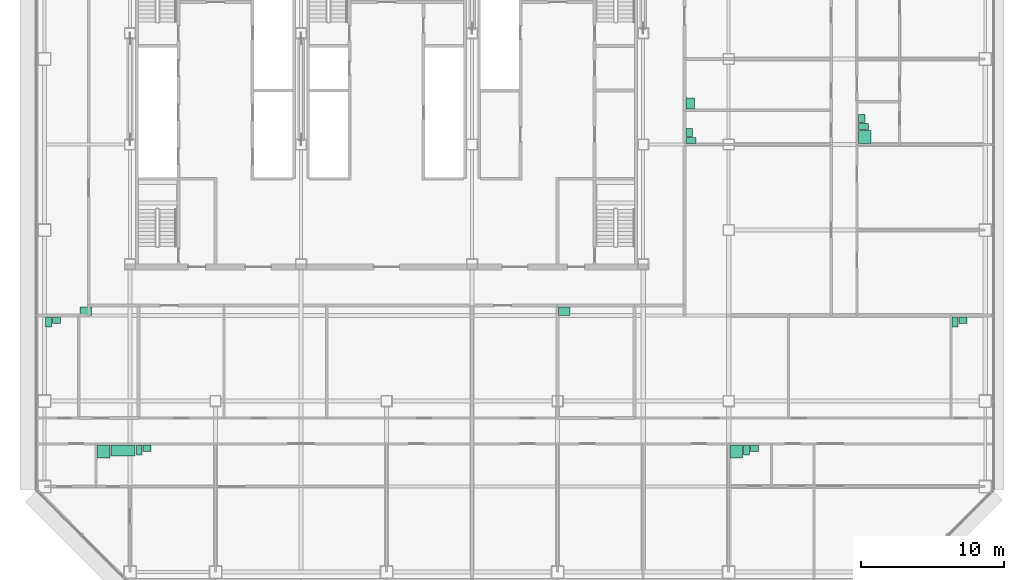
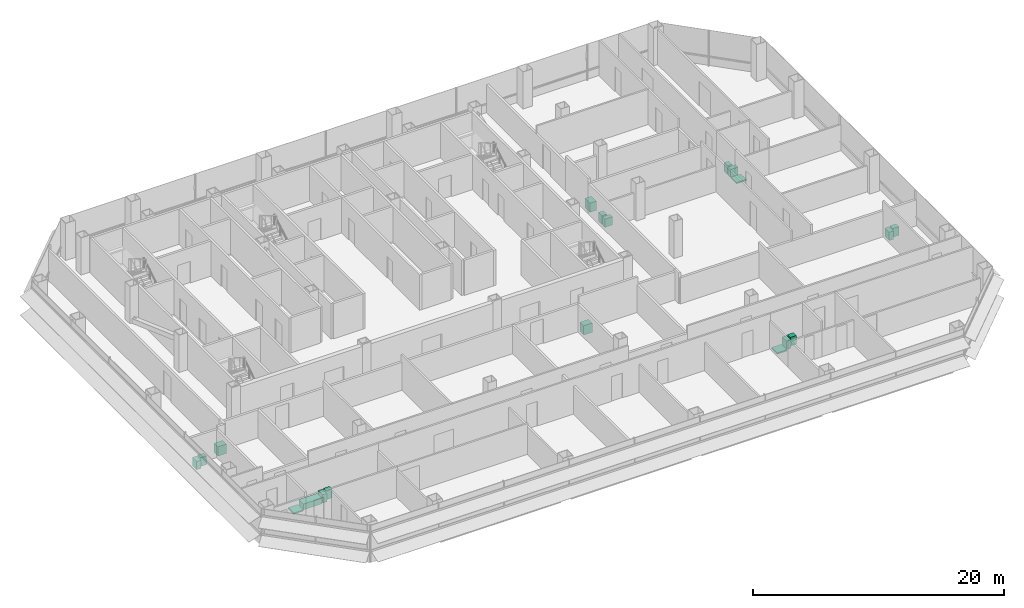
# One storey, part 27 of 27: 19 sanitary terminals.
"""IFC4 building model written with IfcOpenShell, lengths in metres."""

import ifcopenshell
import ifcopenshell.guid

model = None  # the IFC model being written
_history = None  # IfcOwnerHistory: only IFC2X3 demands one
_inside = {}  # id of a spatial element -> (the spatial element, [elements in it])
_under = {}  # id of a project, library or spatial element -> (it, [spatial elements below it])
_declared = {}  # id of a project -> (the project, [libraries it declares])
_typed = {}  # id of a type object -> (the type object, [elements of that type])
_made_of = {}  # id of a material, layer set ... -> (it, [elements and type objects made of it])


def new_model(schema):
    """Start an empty IFC model of exactly this schema.

    Asked for "IFC4X3", IfcOpenShell would pick the latest addendum, in which some entities
    have other attributes; the version numbers below select the first issue.
    IFC2X3 requires an IfcOwnerHistory on every rooted entity: one is made here for all.
    """
    global model, _history
    if schema == "IFC4X3":
        model = ifcopenshell.file(schema_version=(4, 3, 0, 0))
    else:
        model = ifcopenshell.file(schema=schema)
    _inside.clear()
    _under.clear()
    _declared.clear()
    _typed.clear()
    _made_of.clear()
    _history = None
    if model.schema == "IFC2X3":
        org = make("IfcOrganization", Name="unknown")
        user = make(
            "IfcPersonAndOrganization",
            ThePerson=make("IfcPerson", FamilyName="unknown"),
            TheOrganization=org,
        )
        app = make(
            "IfcApplication",
            ApplicationDeveloper=org,
            Version="unknown",
            ApplicationFullName="unknown",
            ApplicationIdentifier="unknown",
        )
        _history = make(
            "IfcOwnerHistory",
            OwningUser=user,
            OwningApplication=app,
            ChangeAction="ADDED",
            CreationDate=0,
        )
    return model


def make(cls, **values):
    """One entity of the class cls with the attributes given. An attribute that is None is left unset."""
    return model.create_entity(
        cls, **{name: value for name, value in values.items() if value is not None}
    )


def rooted(cls, **values):
    """An entity with a GlobalId (a new one), such as an element, a storey or a relation."""
    return make(cls, GlobalId=ifcopenshell.guid.new(), OwnerHistory=_history, **values)


def si_unit(unit_type, name, prefix=None):
    """IfcSIUnit, for example si_unit("LENGTHUNIT", "METRE", prefix="MILLI")."""
    return make("IfcSIUnit", UnitType=unit_type, Prefix=prefix, Name=name)


def assignment(units):
    """IfcUnitAssignment: the units of a project."""
    return None if units is None else make("IfcUnitAssignment", Units=units)


def point(xyz):
    """IfcCartesianPoint."""
    return None if xyz is None else make("IfcCartesianPoint", Coordinates=xyz)


def direction(xyz):
    """IfcDirection."""
    return None if xyz is None else make("IfcDirection", DirectionRatios=xyz)


def frame(location, z_axis=None, x_axis=None):
    """IfcAxis2Placement3D, a coordinate frame: its origin and axes. An axis left out is left unset."""
    return make(
        "IfcAxis2Placement3D",
        Location=point(location),
        Axis=direction(z_axis),
        RefDirection=direction(x_axis),
    )


def frame_2d(location, x_axis=None):
    """IfcAxis2Placement2D, a coordinate frame in the plane: its origin and x axis."""
    return make(
        "IfcAxis2Placement2D", Location=point(location), RefDirection=direction(x_axis)
    )


def origin():
    """The frame at (0, 0, 0) with its axes left unset."""
    return frame((0.0, 0.0, 0.0))


def origin_2d():
    """The frame at (0, 0) in the plane with its x axis left unset."""
    return frame_2d((0.0, 0.0))


def place(relative_to, where):
    """IfcLocalPlacement: puts the frame where relative to a parent placement (None: the world)."""
    return make(
        "IfcLocalPlacement", PlacementRelTo=relative_to, RelativePlacement=where
    )


def context(
    kind, dimensions, precision=None, world=None, true_north=None, identifier=None
):
    """IfcGeometricRepresentationContext, for example the 3D "Model" context."""
    return make(
        "IfcGeometricRepresentationContext",
        ContextIdentifier=identifier,
        ContextType=kind,
        CoordinateSpaceDimension=dimensions,
        Precision=precision,
        WorldCoordinateSystem=world,
        TrueNorth=true_north,
    )


def subcontext(parent, identifier, kind, view, scale=None):
    """IfcGeometricRepresentationSubContext, for example "Body" below "Model"."""
    return make(
        "IfcGeometricRepresentationSubContext",
        ContextIdentifier=identifier,
        ContextType=kind,
        ParentContext=parent,
        TargetScale=scale,
        TargetView=view,
    )


def project(units=None, contexts=None):
    """IfcProject with its units and contexts."""
    return rooted(
        "IfcProject",
        Name="project",
        RepresentationContexts=contexts,
        UnitsInContext=assignment(units),
    )


def spatial(cls, under=None, at=None, **own):
    """A site, building, storey or space (cls), placed at a placement, below another one or the project."""
    s = rooted(cls, ObjectPlacement=at, **own)
    if under is not None:
        _under.setdefault(under.id(), (under, []))[1].append(s)
    return s


def profile(cls, at=None, kind="AREA", **sizes):
    """A parametric profile (cls). Its sizes go by their IFC names, for example OverallWidth=200.0."""
    return make(cls, ProfileType=kind, Position=at, **sizes)


def rectangle(**sizes):
    """IfcRectangleProfileDef."""
    return profile("IfcRectangleProfileDef", **sizes)


def extrude(swept, where, along, depth):
    """IfcExtrudedAreaSolid: the profile swept, set in the frame where, extruded along a direction by depth."""
    return make(
        "IfcExtrudedAreaSolid",
        SweptArea=swept,
        Position=where,
        ExtrudedDirection=direction(along),
        Depth=depth,
    )


def shape(context_of_items, identifier, shape_type, items):
    """IfcShapeRepresentation: the items that make up one representation, for example the "Body"."""
    return make(
        "IfcShapeRepresentation",
        ContextOfItems=context_of_items,
        RepresentationIdentifier=identifier,
        RepresentationType=shape_type,
        Items=items,
    )


def made_of(thing, what):
    """Note that an element or type object is made of a material, layer set ...; save() writes the relation."""
    if what is not None:
        _made_of.setdefault(what.id(), (what, []))[1].append(thing)
    return thing


def element(
    cls,
    number,
    at=None,
    inside=None,
    cuts=None,
    type_object=None,
    material=None,
    context=None,
    identifier="Body",
    shape_type=None,
    held_by="IfcProductDefinitionShape",
    body=None,
    shapes=None,
    **own,
):
    """One element of the class cls, such as IfcWall. Its Tag is "e" and its number.

    at: its placement. inside: the storey or other place that contains it. cuts: it is an
    opening in that element (IfcRelVoidsElement). A single representation is given by context,
    identifier, shape_type and body (its items); several are given by shapes. held_by: the class
    of the entity that holds the representations. save() writes the other relations.
    """
    e = rooted(cls, Tag="e%d" % number, ObjectPlacement=at, **own)
    if body is not None:
        shapes = [shape(context, identifier, shape_type, body)]
    if shapes is not None:
        e.Representation = make(held_by, Representations=shapes)
    if inside is not None:
        _inside.setdefault(inside.id(), (inside, []))[1].append(e)
    if cuts is not None:
        rooted(
            "IfcRelVoidsElement", RelatingBuildingElement=cuts, RelatedOpeningElement=e
        )
    if type_object is not None:
        _typed.setdefault(type_object.id(), (type_object, []))[1].append(e)
    return made_of(e, material)


def aggregate(whole, parts):
    """IfcRelAggregates: a whole, such as a stair, and the parts it consists of."""
    return rooted("IfcRelAggregates", RelatingObject=whole, RelatedObjects=parts)


def save(model, path):
    """Write the relations noted so far, then the file.

    IfcRelAggregates (storeys below a building ...), IfcRelContainedInSpatialStructure (elements
    in a storey), IfcRelDefinesByType, IfcRelAssociatesMaterial and IfcRelDeclares: one each for
    every whole, place, type object, material and project.
    """
    for whole, parts in _under.values():
        aggregate(whole, parts)
    for where, things in _inside.values():
        rooted(
            "IfcRelContainedInSpatialStructure",
            RelatedElements=things,
            RelatingStructure=where,
        )
    for kind, things in _typed.values():
        rooted("IfcRelDefinesByType", RelatedObjects=things, RelatingType=kind)
    for what, things in _made_of.values():
        rooted("IfcRelAssociatesMaterial", RelatedObjects=things, RelatingMaterial=what)
    for by, libraries in _declared.values():
        rooted("IfcRelDeclares", RelatingContext=by, RelatedDefinitions=libraries)
    model.write(path)


model = new_model("IFC4")

# Units and contexts
model_context = context("Model", 3, precision=1e-05, world=origin(), true_north=direction((0.0, 1.0)))
body_context = subcontext(model_context, "Body", "Model", "MODEL_VIEW")
ifc_project = project(units=[si_unit("LENGTHUNIT", "METRE"), si_unit("AREAUNIT", "SQUARE_METRE"), si_unit("VOLUMEUNIT", "CUBIC_METRE"), si_unit("PLANEANGLEUNIT", "RADIAN"), si_unit("MASSUNIT", "GRAM", prefix="KILO")], contexts=[model_context])

# Site, building, storey
site_placement = place(None, origin())
site = spatial("IfcSite", under=ifc_project, at=site_placement, CompositionType="ELEMENT")
building_placement = place(site_placement, origin())
building = spatial("IfcBuilding", under=site, at=building_placement, Name="Sorahane Residences", CompositionType="ELEMENT")
storey_placement = place(building_placement, frame((0.0, 0.0, 75.0)))
storey = spatial("IfcBuildingStorey", under=building, at=storey_placement, Name="L15", CompositionType="ELEMENT", Elevation=75.0)

# Sanitary terminals
sanitary_terminal_1_placement = place(storey_placement, frame((4.1298828125, 8.449951171875, 0.0), z_axis=(0.0, 0.0, 1.0), x_axis=(1.0, 0.0, 0.0)))
element("IfcSanitaryTerminal", 1, at=sanitary_terminal_1_placement, inside=storey, Name="Shower tray En-suite bathroom 15A", PredefinedType="SHOWER", context=body_context, shape_type="SweptSolid", body=[
    extrude(rectangle(XDim=0.89990234375, YDim=0.89990234375, at=origin_2d()), origin(), (0.0, 0.0, 1.0), 0.1201171875),
])
sanitary_terminal_2_placement = place(storey_placement, frame((5.510009765625, 8.52490234375, 0.0), z_axis=(0.0, 0.0, 1.0), x_axis=(1.0, 0.0, 0.0)))
element("IfcSanitaryTerminal", 2, at=sanitary_terminal_2_placement, inside=storey, Name="Bath En-suite bathroom 15A", PredefinedType="BATH", context=body_context, shape_type="SweptSolid", body=[
    extrude(rectangle(XDim=1.699951171875, YDim=0.75, at=origin_2d()), origin(), (0.0, 0.0, 1.0), 0.56005859375),
])
sanitary_terminal_3_placement = place(storey_placement, frame((6.639892578125, 8.550048828125, 0.0), z_axis=(0.0, 0.0, 1.0), x_axis=(1.0, 0.0, 0.0)))
element("IfcSanitaryTerminal", 3, at=sanitary_terminal_3_placement, inside=storey, Name="WC pan En-suite bathroom 15A", PredefinedType="TOILETPAN", context=body_context, shape_type="SweptSolid", body=[
    extrude(rectangle(XDim=0.39990234375, YDim=0.699951171875, at=origin_2d()), origin(), (0.0, 0.0, 1.0), 0.800048828125),
])
sanitary_terminal_4_placement = place(storey_placement, frame((7.195068359375, 8.675048828125, 0.0), z_axis=(0.0, 0.0, 1.0), x_axis=(1.0, 0.0, 0.0)))
element("IfcSanitaryTerminal", 4, at=sanitary_terminal_4_placement, inside=storey, Name="Wash basin En-suite bathroom 15A", PredefinedType="WASHHANDBASIN", context=body_context, shape_type="SweptSolid", body=[
    extrude(rectangle(XDim=0.550048828125, YDim=0.449951171875, at=origin_2d()), origin(), (0.0, 0.0, 1.0), 0.85009765625),
])
sanitary_terminal_5_placement = place(storey_placement, frame((0.280029296875, 17.550048828125, 0.0), z_axis=(0.0, 0.0, 1.0), x_axis=(1.0, 0.0, 0.0)))
element("IfcSanitaryTerminal", 5, at=sanitary_terminal_5_placement, inside=storey, Name="WC pan Guest WC 15A", PredefinedType="TOILETPAN", context=body_context, shape_type="SweptSolid", body=[
    extrude(rectangle(XDim=0.39990234375, YDim=0.699951171875, at=origin_2d()), origin(), (0.0, 0.0, 1.0), 0.800048828125),
])
sanitary_terminal_6_placement = place(storey_placement, frame((0.8349609375, 17.675048828125, 0.0), z_axis=(0.0, 0.0, 1.0), x_axis=(1.0, 0.0, 0.0)))
element("IfcSanitaryTerminal", 6, at=sanitary_terminal_6_placement, inside=storey, Name="Wash basin Guest WC 15A", PredefinedType="WASHHANDBASIN", context=body_context, shape_type="SweptSolid", body=[
    extrude(rectangle(XDim=0.550048828125, YDim=0.449951171875, at=origin_2d()), origin(), (0.0, 0.0, 1.0), 0.85009765625),
])
sanitary_terminal_7_placement = place(storey_placement, frame((2.8798828125, 18.300048828125, 0.0), z_axis=(0.0, 0.0, 1.0), x_axis=(1.0, 0.0, 0.0)))
element("IfcSanitaryTerminal", 7, at=sanitary_terminal_7_placement, inside=storey, Name="Kitchen sink Kitchen 15A", PredefinedType="SINK", context=body_context, shape_type="SweptSolid", body=[
    extrude(rectangle(XDim=0.800048828125, YDim=0.60009765625, at=origin_2d()), origin(), (0.0, 0.0, 1.0), 0.89990234375),
])
sanitary_terminal_8_placement = place(storey_placement, frame((48.530029296875, 8.449951171875, 0.0), z_axis=(0.0, 0.0, 1.0), x_axis=(1.0, 0.0, 0.0)))
element("IfcSanitaryTerminal", 8, at=sanitary_terminal_8_placement, inside=storey, Name="Shower tray En-suite bathroom 15B", PredefinedType="SHOWER", context=body_context, shape_type="SweptSolid", body=[
    extrude(rectangle(XDim=0.89990234375, YDim=0.89990234375, at=origin_2d()), origin(), (0.0, 0.0, 1.0), 0.1201171875),
])
sanitary_terminal_9_placement = place(storey_placement, frame((49.260009765625, 8.550048828125, 0.0), z_axis=(0.0, 0.0, 1.0), x_axis=(1.0, 0.0, 0.0)))
element("IfcSanitaryTerminal", 9, at=sanitary_terminal_9_placement, inside=storey, Name="WC pan En-suite bathroom 15B", PredefinedType="TOILETPAN", context=body_context, shape_type="SweptSolid", body=[
    extrude(rectangle(XDim=0.39990234375, YDim=0.699951171875, at=origin_2d()), origin(), (0.0, 0.0, 1.0), 0.800048828125),
])
sanitary_terminal_10_placement = place(storey_placement, frame((49.81494140625, 8.675048828125, 0.0), z_axis=(0.0, 0.0, 1.0), x_axis=(1.0, 0.0, 0.0)))
element("IfcSanitaryTerminal", 10, at=sanitary_terminal_10_placement, inside=storey, Name="Wash basin En-suite bathroom 15B", PredefinedType="WASHHANDBASIN", context=body_context, shape_type="SweptSolid", body=[
    extrude(rectangle(XDim=0.550048828125, YDim=0.449951171875, at=origin_2d()), origin(), (0.0, 0.0, 1.0), 0.85009765625),
])
sanitary_terminal_11_placement = place(storey_placement, frame((36.47998046875, 18.300048828125, 0.0), z_axis=(0.0, 0.0, 1.0), x_axis=(1.0, 0.0, 0.0)))
element("IfcSanitaryTerminal", 11, at=sanitary_terminal_11_placement, inside=storey, Name="Kitchen sink Kitchen 15B", PredefinedType="SINK", context=body_context, shape_type="SweptSolid", body=[
    extrude(rectangle(XDim=0.800048828125, YDim=0.60009765625, at=origin_2d()), origin(), (0.0, 0.0, 1.0), 0.89990234375),
])
sanitary_terminal_12_placement = place(storey_placement, frame((63.8798828125, 17.550048828125, 0.0), z_axis=(0.0, 0.0, 1.0), x_axis=(1.0, 0.0, 0.0)))
element("IfcSanitaryTerminal", 12, at=sanitary_terminal_12_placement, inside=storey, Name="WC pan Guest WC 15B", PredefinedType="TOILETPAN", context=body_context, shape_type="SweptSolid", body=[
    extrude(rectangle(XDim=0.39990234375, YDim=0.699951171875, at=origin_2d()), origin(), (0.0, 0.0, 1.0), 0.800048828125),
])
sanitary_terminal_13_placement = place(storey_placement, frame((64.43505859375, 17.675048828125, 0.0), z_axis=(0.0, 0.0, 1.0), x_axis=(1.0, 0.0, 0.0)))
element("IfcSanitaryTerminal", 13, at=sanitary_terminal_13_placement, inside=storey, Name="Wash basin Guest WC 15B", PredefinedType="WASHHANDBASIN", context=body_context, shape_type="SweptSolid", body=[
    extrude(rectangle(XDim=0.550048828125, YDim=0.449951171875, at=origin_2d()), origin(), (0.0, 0.0, 1.0), 0.85009765625),
])
sanitary_terminal_14_placement = place(storey_placement, frame((57.550048828125, 30.530029296875, 0.0), z_axis=(0.0, 0.0, 1.0), x_axis=(0.0, 1.0, 0.0)))
element("IfcSanitaryTerminal", 14, at=sanitary_terminal_14_placement, inside=storey, Name="Shower tray En-suite bathroom 15C", PredefinedType="SHOWER", context=body_context, shape_type="SweptSolid", body=[
    extrude(rectangle(XDim=0.89990234375, YDim=0.89990234375, at=origin_2d()), origin(), (0.0, 0.0, 1.0), 0.1201171875),
])
sanitary_terminal_15_placement = place(storey_placement, frame((57.449951171875, 31.260009765625, 0.0), z_axis=(0.0, 0.0, 1.0), x_axis=(0.0, 1.0, 0.0)))
element("IfcSanitaryTerminal", 15, at=sanitary_terminal_15_placement, inside=storey, Name="WC pan En-suite bathroom 15C", PredefinedType="TOILETPAN", context=body_context, shape_type="SweptSolid", body=[
    extrude(rectangle(XDim=0.39990234375, YDim=0.699951171875, at=origin_2d()), origin(), (0.0, 0.0, 1.0), 0.800048828125),
])
sanitary_terminal_16_placement = place(storey_placement, frame((57.324951171875, 31.81494140625, 0.0), z_axis=(0.0, 0.0, 1.0), x_axis=(0.0, 1.0, 0.0)))
element("IfcSanitaryTerminal", 16, at=sanitary_terminal_16_placement, inside=storey, Name="Wash basin En-suite bathroom 15C", PredefinedType="WASHHANDBASIN", context=body_context, shape_type="SweptSolid", body=[
    extrude(rectangle(XDim=0.550048828125, YDim=0.449951171875, at=origin_2d()), origin(), (0.0, 0.0, 1.0), 0.85009765625),
])
sanitary_terminal_17_placement = place(storey_placement, frame((45.35009765625, 30.280029296875, 0.0), z_axis=(0.0, 0.0, 1.0), x_axis=(0.0, 1.0, 0.0)))
element("IfcSanitaryTerminal", 17, at=sanitary_terminal_17_placement, inside=storey, Name="WC pan Powder room 15C", PredefinedType="TOILETPAN", context=body_context, shape_type="SweptSolid", body=[
    extrude(rectangle(XDim=0.39990234375, YDim=0.699951171875, at=origin_2d()), origin(), (0.0, 0.0, 1.0), 0.800048828125),
])
sanitary_terminal_18_placement = place(storey_placement, frame((45.22509765625, 30.8349609375, 0.0), z_axis=(0.0, 0.0, 1.0), x_axis=(0.0, 1.0, 0.0)))
element("IfcSanitaryTerminal", 18, at=sanitary_terminal_18_placement, inside=storey, Name="Wash basin Powder room 15C", PredefinedType="WASHHANDBASIN", context=body_context, shape_type="SweptSolid", body=[
    extrude(rectangle(XDim=0.550048828125, YDim=0.449951171875, at=origin_2d()), origin(), (0.0, 0.0, 1.0), 0.85009765625),
])
sanitary_terminal_19_placement = place(storey_placement, frame((45.300048828125, 32.8798828125, 0.0), z_axis=(0.0, 0.0, 1.0), x_axis=(0.0, 1.0, 0.0)))
element("IfcSanitaryTerminal", 19, at=sanitary_terminal_19_placement, inside=storey, Name="Kitchen sink Kitchen 15C", PredefinedType="SINK", context=body_context, shape_type="SweptSolid", body=[
    extrude(rectangle(XDim=0.800048828125, YDim=0.60009765625, at=origin_2d()), origin(), (0.0, 0.0, 1.0), 0.89990234375),
])

save(model, "model.ifc")
